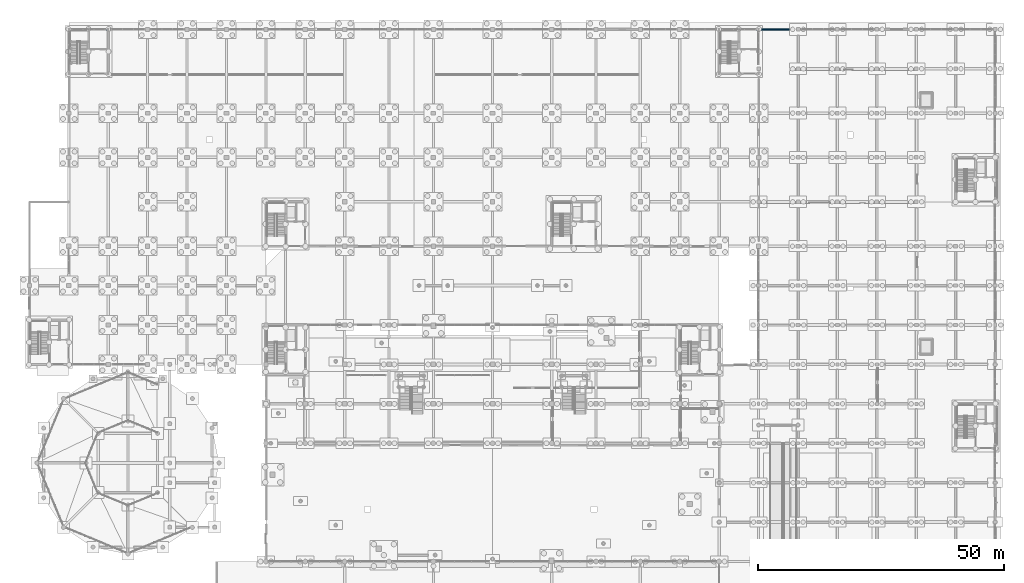
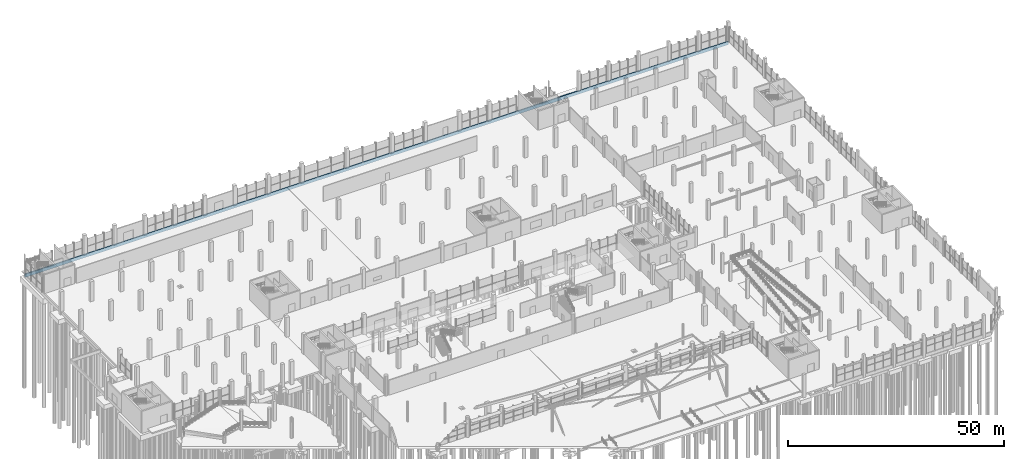
# One storey, part 84 of 98: 1 wall.
"""IFC4 building model written with IfcOpenShell, lengths in metres."""

from ifc_helpers import new_model, si_unit, derived_unit, direction, frame, frame_2d, origin, place, context, subcontext, project, spatial, rectangle, extrude, material, layer, layer_set, type_object, element, save


model = new_model("IFC4")

# Units and contexts
model_context = context("Model", 3, precision=1e-05, world=origin(), true_north=direction((0.0, 1.0)))
body_context = subcontext(model_context, "Body", "Model", "MODEL_VIEW")
ifc_project = project(units=[si_unit("LENGTHUNIT", "METRE"), si_unit("AREAUNIT", "SQUARE_METRE"), si_unit("VOLUMEUNIT", "CUBIC_METRE"), si_unit("PLANEANGLEUNIT", "RADIAN"), si_unit("MASSUNIT", "GRAM", prefix="KILO"), si_unit("THERMODYNAMICTEMPERATUREUNIT", "KELVIN"), derived_unit("THERMALTRANSMITTANCEUNIT", [(si_unit("POWERUNIT", "WATT"), 1), (si_unit("AREAUNIT", "SQUARE_METRE"), -1), (si_unit("THERMODYNAMICTEMPERATUREUNIT", "KELVIN"), -1)])], contexts=[model_context])

# Site, building, storey
site_placement = place(None, origin())
site = spatial("IfcSite", under=ifc_project, at=site_placement, CompositionType="ELEMENT")
building_placement = place(site_placement, origin())
building = spatial("IfcBuilding", under=site, at=building_placement, Name="Haiyu Intermodal Mobility Hub", CompositionType="ELEMENT")
storey_placement = place(building_placement, origin())
storey = spatial("IfcBuildingStorey", under=building, at=storey_placement, Name="L00", CompositionType="ELEMENT", Elevation=0.0)

# Wall
ifc_material = material(Name="Precast concrete C40", Category="concrete")
ifc_layer = layer(ifc_material, 0.300048828125)
ifc_layer_set = layer_set([ifc_layer], Name="Precast concrete C40")
wall_type = type_object("IfcWallType", Name="WAL-WE01", PredefinedType="STANDARD", material=ifc_layer_set)
wall_placement = place(storey_placement, frame((22.0, 148.0, -0.89990234375), z_axis=(0.0, 0.0, 1.0), x_axis=(1.0, 0.0, 0.0)))
element("IfcWall", 1, at=wall_placement, inside=storey, type_object=wall_type, Name="Flood Plinth Retaining Wall PLN-N1", PredefinedType="STANDARD", context=body_context, shape_type="SweptSolid", body=[
    extrude(rectangle(XDim=188.0, YDim=0.300048828125, at=frame_2d((94.0, 0.0))), origin(), (0.0, 0.0, 1.0), 0.89990234375),
])

save(model, "model.ifc")
